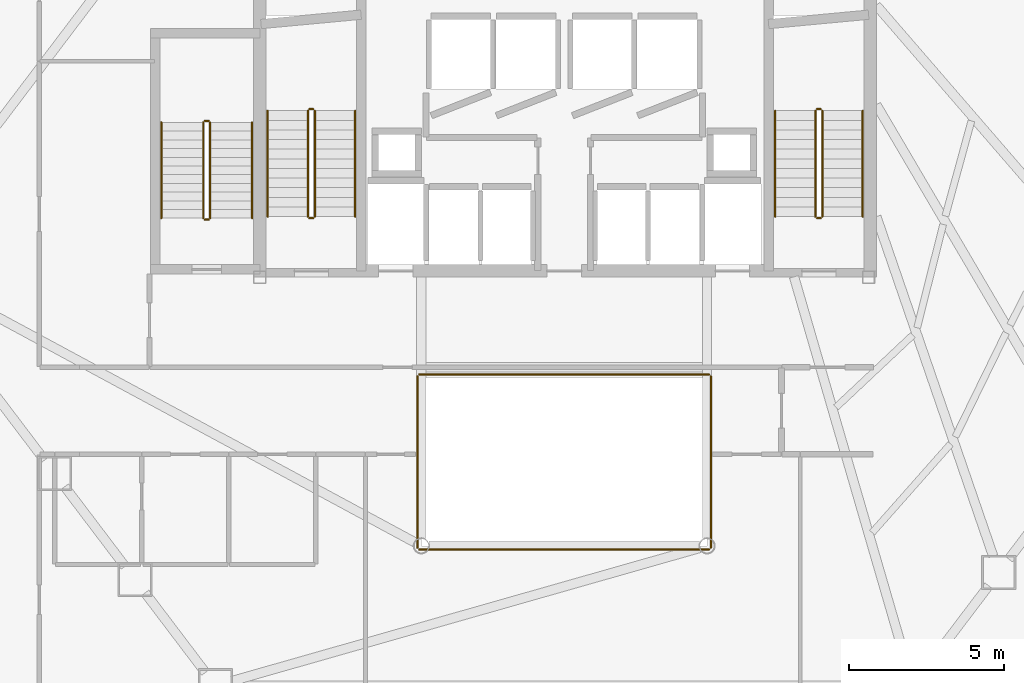
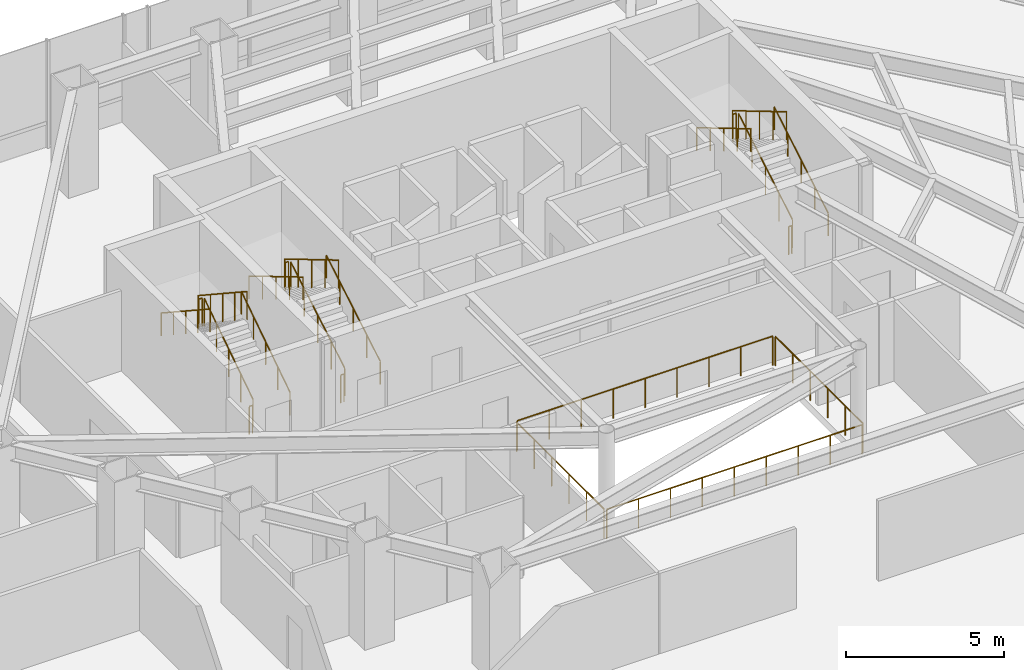
# One storey, part 37 of 37: 22 railings.
"""IFC4 building model written with IfcOpenShell, lengths in metres."""

from ifc_helpers import new_model, si_unit, direction, frame, origin, origin_2d, place, context, subcontext, project, spatial, circle, extrude, material, type_object, element, save


model = new_model("IFC4")

# Units and contexts
model_context = context("Model", 3, precision=1e-05, world=origin(), true_north=direction((0.0, 1.0)))
body_context = subcontext(model_context, "Body", "Model", "MODEL_VIEW")
ifc_project = project(units=[si_unit("LENGTHUNIT", "METRE"), si_unit("AREAUNIT", "SQUARE_METRE"), si_unit("VOLUMEUNIT", "CUBIC_METRE"), si_unit("PLANEANGLEUNIT", "RADIAN"), si_unit("MASSUNIT", "GRAM", prefix="KILO")], contexts=[model_context])

# Site, building, storey
site_placement = place(None, origin())
site = spatial("IfcSite", under=ifc_project, at=site_placement, CompositionType="ELEMENT")
building_placement = place(site_placement, origin())
building = spatial("IfcBuilding", under=site, at=building_placement, Name="Zarrinselat Tower", CompositionType="ELEMENT")
storey_placement = place(building_placement, frame((0.0, 0.0, 13.93994140625)))
storey = spatial("IfcBuildingStorey", under=building, at=storey_placement, Name="L03", CompositionType="ELEMENT", Elevation=13.93994140625)

# Railings
ifc_material_1 = material(Name="Double Low-E Laminated Solar Glass", Category="glass")
railing_type_1 = type_object("IfcRailingType", Name="RLG-ATRIUM-BAL", PredefinedType="BALUSTRADE", material=ifc_material_1)
railing_1_placement = place(storey_placement, frame((33.739990234375, 24.280029296875, 0.0)))
element("IfcRailing", 1, at=railing_1_placement, inside=storey, type_object=railing_type_1, Name="L03 Atrium Void Glass Balustrade S", PredefinedType="BALUSTRADE", context=body_context, shape_type="SweptSolid", body=[
    extrude(circle(Radius=0.02392578125, at=origin_2d()), frame((0.0, 0.0, 1.1259765625), z_axis=(1.0, 0.0, 0.0), x_axis=(0.0, 1.0, 0.0)), (0.0, 0.0, 1.0), 9.320068359375),
    extrude(circle(Radius=0.02099609375, at=origin_2d()), origin(), (0.0, 0.0, 1.0), 1.099853515625),
    extrude(circle(Radius=0.02099609375, at=origin_2d()), frame((1.1650390625, 0.0, 0.0)), (0.0, 0.0, 1.0), 1.099853515625),
    extrude(circle(Radius=0.02099609375, at=origin_2d()), frame((2.330078125, 0.0, 0.0)), (0.0, 0.0, 1.0), 1.099853515625),
    extrude(circle(Radius=0.02099609375, at=origin_2d()), frame((3.4951171875, 0.0, 0.0)), (0.0, 0.0, 1.0), 1.099853515625),
    extrude(circle(Radius=0.02099609375, at=origin_2d()), frame((4.66015625, 0.0, 0.0)), (0.0, 0.0, 1.0), 1.099853515625),
    extrude(circle(Radius=0.02099609375, at=origin_2d()), frame((5.824951171875, 0.0, 0.0)), (0.0, 0.0, 1.0), 1.099853515625),
    extrude(circle(Radius=0.02099609375, at=origin_2d()), frame((6.989990234375, 0.0, 0.0)), (0.0, 0.0, 1.0), 1.099853515625),
    extrude(circle(Radius=0.02099609375, at=origin_2d()), frame((8.155029296875, 0.0, 0.0)), (0.0, 0.0, 1.0), 1.099853515625),
    extrude(circle(Radius=0.02099609375, at=origin_2d()), frame((9.320068359375, 0.0, 0.0)), (0.0, 0.0, 1.0), 1.099853515625),
])
railing_2_placement = place(storey_placement, frame((43.1201171875, 24.340087890625, 0.0)))
element("IfcRailing", 2, at=railing_2_placement, inside=storey, type_object=railing_type_1, Name="L03 Atrium Void Glass Balustrade E", PredefinedType="BALUSTRADE", context=body_context, shape_type="SweptSolid", body=[
    extrude(circle(Radius=0.02392578125, at=origin_2d()), frame((0.0, 0.0, 1.1259765625), z_axis=(0.0, 1.0, 0.0), x_axis=(-1.0, 0.0, 0.0)), (0.0, 0.0, 1.0), 5.52001953125),
    extrude(circle(Radius=0.02099609375, at=origin_2d()), origin(), (0.0, 0.0, 1.0), 1.099853515625),
    extrude(circle(Radius=0.02099609375, at=origin_2d()), frame((0.0, 1.10400390625, 0.0)), (0.0, 0.0, 1.0), 1.099853515625),
    extrude(circle(Radius=0.02099609375, at=origin_2d()), frame((0.0, 2.2080078125, 0.0)), (0.0, 0.0, 1.0), 1.099853515625),
    extrude(circle(Radius=0.02099609375, at=origin_2d()), frame((0.0, 3.31201171875, 0.0)), (0.0, 0.0, 1.0), 1.099853515625),
    extrude(circle(Radius=0.02099609375, at=origin_2d()), frame((0.0, 4.416015625, 0.0)), (0.0, 0.0, 1.0), 1.099853515625),
    extrude(circle(Radius=0.02099609375, at=origin_2d()), frame((0.0, 5.52001953125, 0.0)), (0.0, 0.0, 1.0), 1.099853515625),
])
railing_3_placement = place(storey_placement, frame((43.06005859375, 29.919921875, 0.0)))
element("IfcRailing", 3, at=railing_3_placement, inside=storey, type_object=railing_type_1, Name="L03 Atrium Void Glass Balustrade N", PredefinedType="BALUSTRADE", context=body_context, shape_type="SweptSolid", body=[
    extrude(circle(Radius=0.02392578125, at=origin_2d()), frame((0.0, 0.0, 1.1259765625), z_axis=(-1.0, 0.0, 0.0), x_axis=(0.0, -1.0, 0.0)), (0.0, 0.0, 1.0), 9.320068359375),
    extrude(circle(Radius=0.02099609375, at=origin_2d()), origin(), (0.0, 0.0, 1.0), 1.099853515625),
    extrude(circle(Radius=0.02099609375, at=origin_2d()), frame((-1.1650390625, 0.0, 0.0)), (0.0, 0.0, 1.0), 1.099853515625),
    extrude(circle(Radius=0.02099609375, at=origin_2d()), frame((-2.330078125, 0.0, 0.0)), (0.0, 0.0, 1.0), 1.099853515625),
    extrude(circle(Radius=0.02099609375, at=origin_2d()), frame((-3.4951171875, 0.0, 0.0)), (0.0, 0.0, 1.0), 1.099853515625),
    extrude(circle(Radius=0.02099609375, at=origin_2d()), frame((-4.66015625, 0.0, 0.0)), (0.0, 0.0, 1.0), 1.099853515625),
    extrude(circle(Radius=0.02099609375, at=origin_2d()), frame((-5.824951171875, 0.0, 0.0)), (0.0, 0.0, 1.0), 1.099853515625),
    extrude(circle(Radius=0.02099609375, at=origin_2d()), frame((-6.989990234375, 0.0, 0.0)), (0.0, 0.0, 1.0), 1.099853515625),
    extrude(circle(Radius=0.02099609375, at=origin_2d()), frame((-8.155029296875, 0.0, 0.0)), (0.0, 0.0, 1.0), 1.099853515625),
    extrude(circle(Radius=0.02099609375, at=origin_2d()), frame((-9.320068359375, 0.0, 0.0)), (0.0, 0.0, 1.0), 1.099853515625),
])
railing_4_placement = place(storey_placement, frame((33.679931640625, 29.860107421875, 0.0)))
element("IfcRailing", 4, at=railing_4_placement, inside=storey, type_object=railing_type_1, Name="L03 Atrium Void Glass Balustrade W", PredefinedType="BALUSTRADE", context=body_context, shape_type="SweptSolid", body=[
    extrude(circle(Radius=0.02392578125, at=origin_2d()), frame((0.0, 0.0, 1.1259765625), z_axis=(0.0, -1.0, 0.0), x_axis=(1.0, 0.0, 0.0)), (0.0, 0.0, 1.0), 5.52001953125),
    extrude(circle(Radius=0.02099609375, at=origin_2d()), origin(), (0.0, 0.0, 1.0), 1.099853515625),
    extrude(circle(Radius=0.02099609375, at=origin_2d()), frame((0.0, -1.10400390625, 0.0)), (0.0, 0.0, 1.0), 1.099853515625),
    extrude(circle(Radius=0.02099609375, at=origin_2d()), frame((0.0, -2.2080078125, 0.0)), (0.0, 0.0, 1.0), 1.099853515625),
    extrude(circle(Radius=0.02099609375, at=origin_2d()), frame((0.0, -3.31201171875, 0.0)), (0.0, 0.0, 1.0), 1.099853515625),
    extrude(circle(Radius=0.02099609375, at=origin_2d()), frame((0.0, -4.416015625, 0.0)), (0.0, 0.0, 1.0), 1.099853515625),
    extrude(circle(Radius=0.02099609375, at=origin_2d()), frame((0.0, -5.52001953125, 0.0)), (0.0, 0.0, 1.0), 1.099853515625),
])
ifc_material_2 = material(Name="Steel S355J2", Category="steel")
railing_type_2 = type_object("IfcRailingType", Name="RLG-STAIR-GUARD", PredefinedType="GUARDRAIL", material=ifc_material_2)
railing_5_placement = place(storey_placement, frame((30.3701171875, 35.0, 0.184326171875)))
element("IfcRailing", 5, at=railing_5_placement, inside=storey, type_object=railing_type_2, Name="L03 ST-1 stair guard 1", PredefinedType="GUARDRAIL", context=body_context, shape_type="SweptSolid", body=[
    extrude(circle(Radius=0.02392578125, at=origin_2d()), frame((0.0, 0.0, 1.076171875), z_axis=(0.0, 0.859744101735, 0.510725052774), x_axis=(-1.0, 0.0, 0.0)), (0.0, 0.0, 1.0), 3.96630859375),
    extrude(circle(Radius=0.02099609375, at=origin_2d()), origin(), (0.0, 0.0, 1.0), 1.050048828125),
    extrude(circle(Radius=0.02099609375, at=origin_2d()), frame((0.0, 0.8525390625, 0.50634765625)), (0.0, 0.0, 1.0), 1.050048828125),
    extrude(circle(Radius=0.02099609375, at=origin_2d()), frame((0.0, 1.705078125, 1.0126953125)), (0.0, 0.0, 1.0), 1.050048828125),
    extrude(circle(Radius=0.02099609375, at=origin_2d()), frame((0.0, 2.557373046875, 1.519287109375)), (0.0, 0.0, 1.0), 1.050048828125),
    extrude(circle(Radius=0.02099609375, at=origin_2d()), frame((0.0, 3.409912109375, 2.025634765625)), (0.0, 0.0, 1.0), 1.050048828125),
])
railing_6_placement = place(storey_placement, frame((30.320068359375, 38.4599609375, 2.2099609375)))
element("IfcRailing", 6, at=railing_6_placement, inside=storey, type_object=railing_type_2, Name="L03 ST-1 stair guard 2", PredefinedType="GUARDRAIL", context=body_context, shape_type="SweptSolid", body=[
    extrude(circle(Radius=0.02392578125, at=origin_2d()), frame((0.0, 0.0, 1.076171875), z_axis=(-1.0, 0.0, 0.0), x_axis=(0.0, -1.0, 0.0)), (0.0, 0.0, 1.0), 0.1201171875),
    extrude(circle(Radius=0.02099609375, at=origin_2d()), origin(), (0.0, 0.0, 1.0), 1.050048828125),
    extrude(circle(Radius=0.02099609375, at=origin_2d()), frame((-0.1201171875, 0.0, 0.0)), (0.0, 0.0, 1.0), 1.050048828125),
])
railing_7_placement = place(storey_placement, frame((30.14990234375, 38.409912109375, 2.394287109375)))
element("IfcRailing", 7, at=railing_7_placement, inside=storey, type_object=railing_type_2, Name="L03 ST-1 stair guard 3", PredefinedType="GUARDRAIL", context=body_context, shape_type="SweptSolid", body=[
    extrude(circle(Radius=0.02392578125, at=origin_2d()), frame((0.0, 0.0, 1.076171875), z_axis=(0.0, -0.85971707285, 0.510770549904), x_axis=(1.0, 0.0, 0.0)), (0.0, 0.0, 1.0), 3.96630859375),
    extrude(circle(Radius=0.02099609375, at=origin_2d()), origin(), (0.0, 0.0, 1.0), 1.050048828125),
    extrude(circle(Radius=0.02099609375, at=origin_2d()), frame((0.0, -0.8525390625, 0.50634765625)), (0.0, 0.0, 1.0), 1.050048828125),
    extrude(circle(Radius=0.02099609375, at=origin_2d()), frame((0.0, -1.705078125, 1.012939453125)), (0.0, 0.0, 1.0), 1.050048828125),
    extrude(circle(Radius=0.02099609375, at=origin_2d()), frame((0.0, -2.557373046875, 1.51953125)), (0.0, 0.0, 1.0), 1.050048828125),
    extrude(circle(Radius=0.02099609375, at=origin_2d()), frame((0.0, -3.409912109375, 2.02587890625)), (0.0, 0.0, 1.0), 1.050048828125),
])
railing_8_placement = place(storey_placement, frame((30.320068359375, 34.949951171875, 0.0)))
element("IfcRailing", 8, at=railing_8_placement, inside=storey, type_object=railing_type_2, Name="L03 ST-1 stair guard 4", PredefinedType="GUARDRAIL", context=body_context, shape_type="SweptSolid", body=[
    extrude(circle(Radius=0.02392578125, at=origin_2d()), frame((0.0, 0.0, 1.076171875), z_axis=(-1.0, 0.0, 0.0), x_axis=(0.0, -1.0, 0.0)), (0.0, 0.0, 1.0), 0.1201171875),
    extrude(circle(Radius=0.02099609375, at=origin_2d()), origin(), (0.0, 0.0, 1.0), 1.050048828125),
    extrude(circle(Radius=0.02099609375, at=origin_2d()), frame((-0.1201171875, 0.0, 0.0)), (0.0, 0.0, 1.0), 1.050048828125),
])
railing_9_placement = place(storey_placement, frame((46.7099609375, 35.0, 0.184326171875)))
element("IfcRailing", 9, at=railing_9_placement, inside=storey, type_object=railing_type_2, Name="L03 ST-2 stair guard 1", PredefinedType="GUARDRAIL", context=body_context, shape_type="SweptSolid", body=[
    extrude(circle(Radius=0.02392578125, at=origin_2d()), frame((0.0, 0.0, 1.076171875), z_axis=(0.0, 0.859744101735, 0.510725052774), x_axis=(-1.0, 0.0, 0.0)), (0.0, 0.0, 1.0), 3.96630859375),
    extrude(circle(Radius=0.02099609375, at=origin_2d()), origin(), (0.0, 0.0, 1.0), 1.050048828125),
    extrude(circle(Radius=0.02099609375, at=origin_2d()), frame((0.0, 0.8525390625, 0.50634765625)), (0.0, 0.0, 1.0), 1.050048828125),
    extrude(circle(Radius=0.02099609375, at=origin_2d()), frame((0.0, 1.705078125, 1.0126953125)), (0.0, 0.0, 1.0), 1.050048828125),
    extrude(circle(Radius=0.02099609375, at=origin_2d()), frame((0.0, 2.557373046875, 1.519287109375)), (0.0, 0.0, 1.0), 1.050048828125),
    extrude(circle(Radius=0.02099609375, at=origin_2d()), frame((0.0, 3.409912109375, 2.025634765625)), (0.0, 0.0, 1.0), 1.050048828125),
])
railing_10_placement = place(storey_placement, frame((46.659912109375, 38.4599609375, 2.2099609375)))
element("IfcRailing", 10, at=railing_10_placement, inside=storey, type_object=railing_type_2, Name="L03 ST-2 stair guard 2", PredefinedType="GUARDRAIL", context=body_context, shape_type="SweptSolid", body=[
    extrude(circle(Radius=0.02392578125, at=origin_2d()), frame((0.0, 0.0, 1.076171875), z_axis=(-1.0, 0.0, 0.0), x_axis=(0.0, -1.0, 0.0)), (0.0, 0.0, 1.0), 0.119873046875),
    extrude(circle(Radius=0.02099609375, at=origin_2d()), origin(), (0.0, 0.0, 1.0), 1.050048828125),
    extrude(circle(Radius=0.02099609375, at=origin_2d()), frame((-0.119873046875, 0.0, 0.0)), (0.0, 0.0, 1.0), 1.050048828125),
])
railing_11_placement = place(storey_placement, frame((46.489990234375, 38.409912109375, 2.394287109375)))
element("IfcRailing", 11, at=railing_11_placement, inside=storey, type_object=railing_type_2, Name="L03 ST-2 stair guard 3", PredefinedType="GUARDRAIL", context=body_context, shape_type="SweptSolid", body=[
    extrude(circle(Radius=0.02392578125, at=origin_2d()), frame((0.0, 0.0, 1.076171875), z_axis=(0.0, -0.85971707285, 0.510770549904), x_axis=(1.0, 0.0, 0.0)), (0.0, 0.0, 1.0), 3.96630859375),
    extrude(circle(Radius=0.02099609375, at=origin_2d()), origin(), (0.0, 0.0, 1.0), 1.050048828125),
    extrude(circle(Radius=0.02099609375, at=origin_2d()), frame((0.0, -0.8525390625, 0.50634765625)), (0.0, 0.0, 1.0), 1.050048828125),
    extrude(circle(Radius=0.02099609375, at=origin_2d()), frame((0.0, -1.705078125, 1.012939453125)), (0.0, 0.0, 1.0), 1.050048828125),
    extrude(circle(Radius=0.02099609375, at=origin_2d()), frame((0.0, -2.557373046875, 1.51953125)), (0.0, 0.0, 1.0), 1.050048828125),
    extrude(circle(Radius=0.02099609375, at=origin_2d()), frame((0.0, -3.409912109375, 2.02587890625)), (0.0, 0.0, 1.0), 1.050048828125),
])
railing_12_placement = place(storey_placement, frame((46.659912109375, 34.949951171875, 0.0)))
element("IfcRailing", 12, at=railing_12_placement, inside=storey, type_object=railing_type_2, Name="L03 ST-2 stair guard 4", PredefinedType="GUARDRAIL", context=body_context, shape_type="SweptSolid", body=[
    extrude(circle(Radius=0.02392578125, at=origin_2d()), frame((0.0, 0.0, 1.076171875), z_axis=(-1.0, 0.0, 0.0), x_axis=(0.0, -1.0, 0.0)), (0.0, 0.0, 1.0), 0.119873046875),
    extrude(circle(Radius=0.02099609375, at=origin_2d()), origin(), (0.0, 0.0, 1.0), 1.050048828125),
    extrude(circle(Radius=0.02099609375, at=origin_2d()), frame((-0.119873046875, 0.0, 0.0)), (0.0, 0.0, 1.0), 1.050048828125),
])
railing_13_placement = place(storey_placement, frame((27.0, 34.949951171875, 0.184326171875)))
element("IfcRailing", 13, at=railing_13_placement, inside=storey, type_object=railing_type_2, Name="L03 ST-3 stair guard 1", PredefinedType="GUARDRAIL", context=body_context, shape_type="SweptSolid", body=[
    extrude(circle(Radius=0.02392578125, at=origin_2d()), frame((0.0, 0.0, 1.076171875), z_axis=(0.0, 0.835508295649, 0.549477832039), x_axis=(-1.0, 0.0, 0.0)), (0.0, 0.0, 1.0), 3.6865234375),
    extrude(circle(Radius=0.02099609375, at=origin_2d()), origin(), (0.0, 0.0, 1.0), 1.050048828125),
    extrude(circle(Radius=0.02099609375, at=origin_2d()), frame((0.0, 0.77001953125, 0.50634765625)), (0.0, 0.0, 1.0), 1.050048828125),
    extrude(circle(Radius=0.02099609375, at=origin_2d()), frame((0.0, 1.5400390625, 1.0126953125)), (0.0, 0.0, 1.0), 1.050048828125),
    extrude(circle(Radius=0.02099609375, at=origin_2d()), frame((0.0, 2.31005859375, 1.519287109375)), (0.0, 0.0, 1.0), 1.050048828125),
    extrude(circle(Radius=0.02099609375, at=origin_2d()), frame((0.0, 3.080078125, 2.025634765625)), (0.0, 0.0, 1.0), 1.050048828125),
])
railing_14_placement = place(storey_placement, frame((26.949951171875, 38.080078125, 2.2099609375)))
element("IfcRailing", 14, at=railing_14_placement, inside=storey, type_object=railing_type_2, Name="L03 ST-3 stair guard 2", PredefinedType="GUARDRAIL", context=body_context, shape_type="SweptSolid", body=[
    extrude(circle(Radius=0.02392578125, at=origin_2d()), frame((0.0, 0.0, 1.076171875), z_axis=(-1.0, 0.0, 0.0), x_axis=(0.0, -1.0, 0.0)), (0.0, 0.0, 1.0), 0.119873046875),
    extrude(circle(Radius=0.02099609375, at=origin_2d()), origin(), (0.0, 0.0, 1.0), 1.050048828125),
    extrude(circle(Radius=0.02099609375, at=origin_2d()), frame((-0.119873046875, 0.0, 0.0)), (0.0, 0.0, 1.0), 1.050048828125),
])
railing_15_placement = place(storey_placement, frame((26.780029296875, 38.030029296875, 2.394287109375)))
element("IfcRailing", 15, at=railing_15_placement, inside=storey, type_object=railing_type_2, Name="L03 ST-3 stair guard 3", PredefinedType="GUARDRAIL", context=body_context, shape_type="SweptSolid", body=[
    extrude(circle(Radius=0.02392578125, at=origin_2d()), frame((0.0, 0.0, 1.076171875), z_axis=(0.0, -0.835477891525, 0.549524060231), x_axis=(1.0, 0.0, 0.0)), (0.0, 0.0, 1.0), 3.6865234375),
    extrude(circle(Radius=0.02099609375, at=origin_2d()), origin(), (0.0, 0.0, 1.0), 1.050048828125),
    extrude(circle(Radius=0.02099609375, at=origin_2d()), frame((0.0, -0.77001953125, 0.50634765625)), (0.0, 0.0, 1.0), 1.050048828125),
    extrude(circle(Radius=0.02099609375, at=origin_2d()), frame((0.0, -1.5400390625, 1.012939453125)), (0.0, 0.0, 1.0), 1.050048828125),
    extrude(circle(Radius=0.02099609375, at=origin_2d()), frame((0.0, -2.31005859375, 1.51953125)), (0.0, 0.0, 1.0), 1.050048828125),
    extrude(circle(Radius=0.02099609375, at=origin_2d()), frame((0.0, -3.080078125, 2.02587890625)), (0.0, 0.0, 1.0), 1.050048828125),
])
railing_16_placement = place(storey_placement, frame((26.949951171875, 34.89990234375, 0.0)))
element("IfcRailing", 16, at=railing_16_placement, inside=storey, type_object=railing_type_2, Name="L03 ST-3 stair guard 4", PredefinedType="GUARDRAIL", context=body_context, shape_type="SweptSolid", body=[
    extrude(circle(Radius=0.02392578125, at=origin_2d()), frame((0.0, 0.0, 1.076171875), z_axis=(-1.0, 0.0, 0.0), x_axis=(0.0, -1.0, 0.0)), (0.0, 0.0, 1.0), 0.119873046875),
    extrude(circle(Radius=0.02099609375, at=origin_2d()), origin(), (0.0, 0.0, 1.0), 1.050048828125),
    extrude(circle(Radius=0.02099609375, at=origin_2d()), frame((-0.119873046875, 0.0, 0.0)), (0.0, 0.0, 1.0), 1.050048828125),
])
ifc_material_3 = material(Name="Steel S355J2", Category="steel")
railing_type_3 = type_object("IfcRailingType", Name="RLG-STAIR-HAND", PredefinedType="HANDRAIL", material=ifc_material_3)
railing_17_placement = place(storey_placement, frame((31.669921875, 35.0, 0.184326171875)))
element("IfcRailing", 17, at=railing_17_placement, inside=storey, type_object=railing_type_3, Name="L03 ST-1 stair handrail 1", PredefinedType="HANDRAIL", context=body_context, shape_type="SweptSolid", body=[
    extrude(circle(Radius=0.02392578125, at=origin_2d()), frame((0.0, 0.0, 0.8759765625), z_axis=(0.0, 0.859744101735, 0.510725052774), x_axis=(-1.0, 0.0, 0.0)), (0.0, 0.0, 1.0), 3.96630859375),
    extrude(circle(Radius=0.02099609375, at=origin_2d()), origin(), (0.0, 0.0, 1.0), 0.849853515625),
    extrude(circle(Radius=0.02099609375, at=origin_2d()), frame((0.0, 0.8525390625, 0.50634765625)), (0.0, 0.0, 1.0), 0.849853515625),
    extrude(circle(Radius=0.02099609375, at=origin_2d()), frame((0.0, 1.705078125, 1.0126953125)), (0.0, 0.0, 1.0), 0.849853515625),
    extrude(circle(Radius=0.02099609375, at=origin_2d()), frame((0.0, 2.557373046875, 1.519287109375)), (0.0, 0.0, 1.0), 0.849853515625),
    extrude(circle(Radius=0.02099609375, at=origin_2d()), frame((0.0, 3.409912109375, 2.025634765625)), (0.0, 0.0, 1.0), 0.849853515625),
])
railing_18_placement = place(storey_placement, frame((28.85009765625, 38.409912109375, 2.394287109375)))
element("IfcRailing", 18, at=railing_18_placement, inside=storey, type_object=railing_type_3, Name="L03 ST-1 stair handrail 2", PredefinedType="HANDRAIL", context=body_context, shape_type="SweptSolid", body=[
    extrude(circle(Radius=0.02392578125, at=origin_2d()), frame((0.0, 0.0, 0.8759765625), z_axis=(0.0, -0.85971707285, 0.510770549904), x_axis=(1.0, 0.0, 0.0)), (0.0, 0.0, 1.0), 3.96630859375),
    extrude(circle(Radius=0.02099609375, at=origin_2d()), origin(), (0.0, 0.0, 1.0), 0.849853515625),
    extrude(circle(Radius=0.02099609375, at=origin_2d()), frame((0.0, -0.8525390625, 0.50634765625)), (0.0, 0.0, 1.0), 0.849853515625),
    extrude(circle(Radius=0.02099609375, at=origin_2d()), frame((0.0, -1.705078125, 1.012939453125)), (0.0, 0.0, 1.0), 0.849853515625),
    extrude(circle(Radius=0.02099609375, at=origin_2d()), frame((0.0, -2.557373046875, 1.51953125)), (0.0, 0.0, 1.0), 0.849853515625),
    extrude(circle(Radius=0.02099609375, at=origin_2d()), frame((0.0, -3.409912109375, 2.02587890625)), (0.0, 0.0, 1.0), 0.849853515625),
])
railing_19_placement = place(storey_placement, frame((48.010009765625, 35.0, 0.184326171875)))
element("IfcRailing", 19, at=railing_19_placement, inside=storey, type_object=railing_type_3, Name="L03 ST-2 stair handrail 1", PredefinedType="HANDRAIL", context=body_context, shape_type="SweptSolid", body=[
    extrude(circle(Radius=0.02392578125, at=origin_2d()), frame((0.0, 0.0, 0.8759765625), z_axis=(0.0, 0.859744101735, 0.510725052774), x_axis=(-1.0, 0.0, 0.0)), (0.0, 0.0, 1.0), 3.96630859375),
    extrude(circle(Radius=0.02099609375, at=origin_2d()), origin(), (0.0, 0.0, 1.0), 0.849853515625),
    extrude(circle(Radius=0.02099609375, at=origin_2d()), frame((0.0, 0.8525390625, 0.50634765625)), (0.0, 0.0, 1.0), 0.849853515625),
    extrude(circle(Radius=0.02099609375, at=origin_2d()), frame((0.0, 1.705078125, 1.0126953125)), (0.0, 0.0, 1.0), 0.849853515625),
    extrude(circle(Radius=0.02099609375, at=origin_2d()), frame((0.0, 2.557373046875, 1.519287109375)), (0.0, 0.0, 1.0), 0.849853515625),
    extrude(circle(Radius=0.02099609375, at=origin_2d()), frame((0.0, 3.409912109375, 2.025634765625)), (0.0, 0.0, 1.0), 0.849853515625),
])
railing_20_placement = place(storey_placement, frame((45.18994140625, 38.409912109375, 2.394287109375)))
element("IfcRailing", 20, at=railing_20_placement, inside=storey, type_object=railing_type_3, Name="L03 ST-2 stair handrail 2", PredefinedType="HANDRAIL", context=body_context, shape_type="SweptSolid", body=[
    extrude(circle(Radius=0.02392578125, at=origin_2d()), frame((0.0, 0.0, 0.8759765625), z_axis=(0.0, -0.85971707285, 0.510770549904), x_axis=(1.0, 0.0, 0.0)), (0.0, 0.0, 1.0), 3.96630859375),
    extrude(circle(Radius=0.02099609375, at=origin_2d()), origin(), (0.0, 0.0, 1.0), 0.849853515625),
    extrude(circle(Radius=0.02099609375, at=origin_2d()), frame((0.0, -0.8525390625, 0.50634765625)), (0.0, 0.0, 1.0), 0.849853515625),
    extrude(circle(Radius=0.02099609375, at=origin_2d()), frame((0.0, -1.705078125, 1.012939453125)), (0.0, 0.0, 1.0), 0.849853515625),
    extrude(circle(Radius=0.02099609375, at=origin_2d()), frame((0.0, -2.557373046875, 1.51953125)), (0.0, 0.0, 1.0), 0.849853515625),
    extrude(circle(Radius=0.02099609375, at=origin_2d()), frame((0.0, -3.409912109375, 2.02587890625)), (0.0, 0.0, 1.0), 0.849853515625),
])
railing_21_placement = place(storey_placement, frame((28.35009765625, 34.949951171875, 0.184326171875)))
element("IfcRailing", 21, at=railing_21_placement, inside=storey, type_object=railing_type_3, Name="L03 ST-3 stair handrail 1", PredefinedType="HANDRAIL", context=body_context, shape_type="SweptSolid", body=[
    extrude(circle(Radius=0.02392578125, at=origin_2d()), frame((0.0, 0.0, 0.8759765625), z_axis=(0.0, 0.835508295649, 0.549477832039), x_axis=(-1.0, 0.0, 0.0)), (0.0, 0.0, 1.0), 3.6865234375),
    extrude(circle(Radius=0.02099609375, at=origin_2d()), origin(), (0.0, 0.0, 1.0), 0.849853515625),
    extrude(circle(Radius=0.02099609375, at=origin_2d()), frame((0.0, 0.77001953125, 0.50634765625)), (0.0, 0.0, 1.0), 0.849853515625),
    extrude(circle(Radius=0.02099609375, at=origin_2d()), frame((0.0, 1.5400390625, 1.0126953125)), (0.0, 0.0, 1.0), 0.849853515625),
    extrude(circle(Radius=0.02099609375, at=origin_2d()), frame((0.0, 2.31005859375, 1.519287109375)), (0.0, 0.0, 1.0), 0.849853515625),
    extrude(circle(Radius=0.02099609375, at=origin_2d()), frame((0.0, 3.080078125, 2.025634765625)), (0.0, 0.0, 1.0), 0.849853515625),
])
railing_22_placement = place(storey_placement, frame((25.429931640625, 38.030029296875, 2.394287109375)))
element("IfcRailing", 22, at=railing_22_placement, inside=storey, type_object=railing_type_3, Name="L03 ST-3 stair handrail 2", PredefinedType="HANDRAIL", context=body_context, shape_type="SweptSolid", body=[
    extrude(circle(Radius=0.02392578125, at=origin_2d()), frame((0.0, 0.0, 0.8759765625), z_axis=(0.0, -0.835477891525, 0.549524060231), x_axis=(1.0, 0.0, 0.0)), (0.0, 0.0, 1.0), 3.6865234375),
    extrude(circle(Radius=0.02099609375, at=origin_2d()), origin(), (0.0, 0.0, 1.0), 0.849853515625),
    extrude(circle(Radius=0.02099609375, at=origin_2d()), frame((0.0, -0.77001953125, 0.50634765625)), (0.0, 0.0, 1.0), 0.849853515625),
    extrude(circle(Radius=0.02099609375, at=origin_2d()), frame((0.0, -1.5400390625, 1.012939453125)), (0.0, 0.0, 1.0), 0.849853515625),
    extrude(circle(Radius=0.02099609375, at=origin_2d()), frame((0.0, -2.31005859375, 1.51953125)), (0.0, 0.0, 1.0), 0.849853515625),
    extrude(circle(Radius=0.02099609375, at=origin_2d()), frame((0.0, -3.080078125, 2.02587890625)), (0.0, 0.0, 1.0), 0.849853515625),
])

save(model, "model.ifc")
